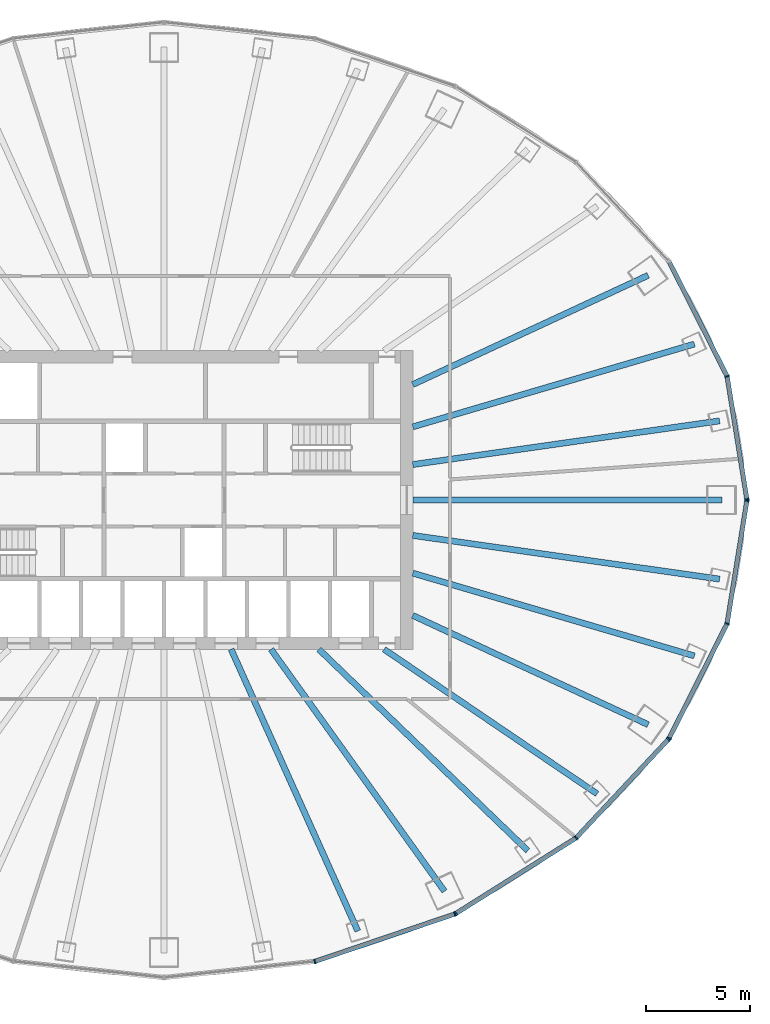
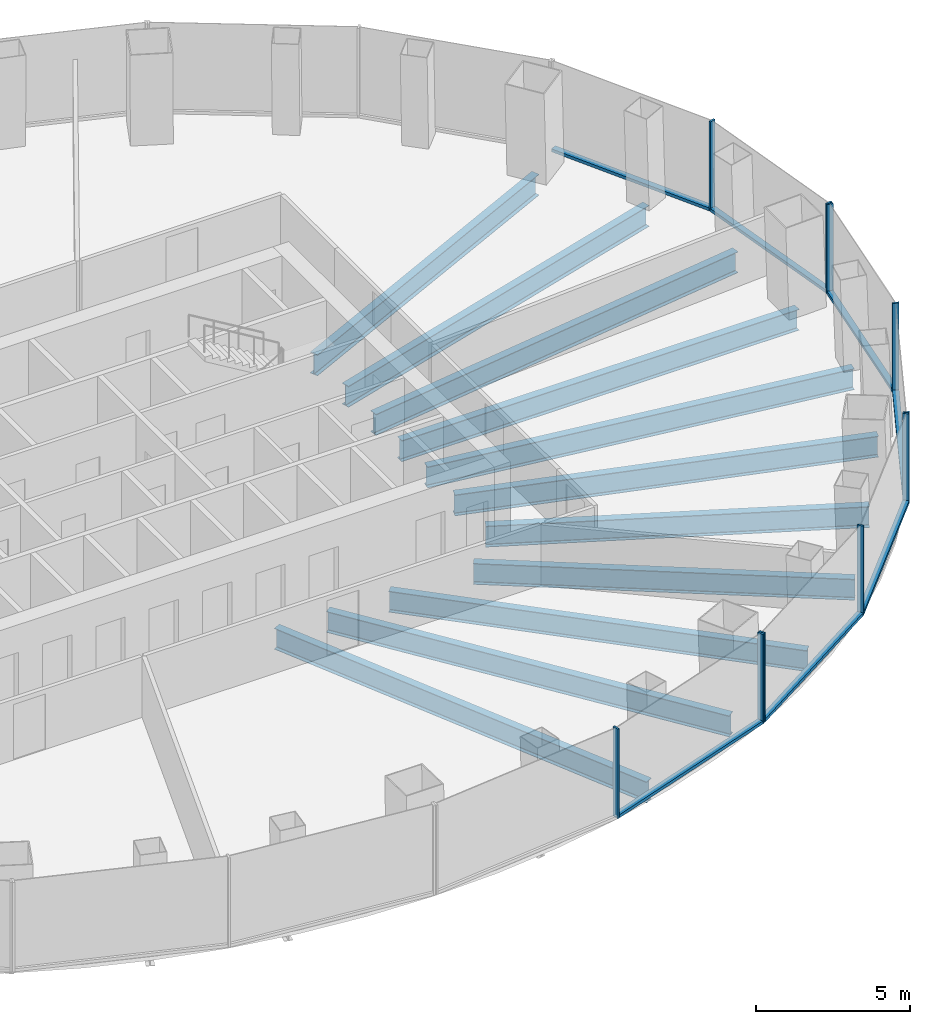
# One storey, part 4 of 11: 17 members, 11 beams, 4 elements without a shape of their own.
"""IFC4 building model written with IfcOpenShell, lengths in metres."""

from ifc_helpers import new_model, si_unit, direction, frame, origin, origin_2d, place, context, subcontext, project, spatial, rectangle, i_section, extrude, material, layer, layer_set, material_profile, profile_set, type_object, element, aggregate, save


model = new_model("IFC4")

# Units and contexts
model_context = context("Model", 3, precision=1e-05, world=origin(), true_north=direction((0.0, 1.0)))
body_context = subcontext(model_context, "Body", "Model", "MODEL_VIEW")
ifc_project = project(units=[si_unit("LENGTHUNIT", "METRE"), si_unit("AREAUNIT", "SQUARE_METRE"), si_unit("VOLUMEUNIT", "CUBIC_METRE"), si_unit("PLANEANGLEUNIT", "RADIAN"), si_unit("MASSUNIT", "GRAM", prefix="KILO")], contexts=[model_context])

# Site, building, storey
site_placement = place(None, origin())
site = spatial("IfcSite", under=ifc_project, at=site_placement, CompositionType="ELEMENT")
building_placement = place(site_placement, origin())
building = spatial("IfcBuilding", under=site, at=building_placement, Name="Siaravel Broadcast Tower", CompositionType="ELEMENT")
storey_placement = place(building_placement, frame((0.0, 0.0, 44.5)))
storey = spatial("IfcBuildingStorey", under=building, at=storey_placement, Name="L09", CompositionType="ELEMENT", Elevation=44.5)

# Beams
ifc_material_1 = material(Name="Steel S355", Category="steel")
ifc_material_profile_1 = material_profile(ifc_material_1, i_section(OverallWidth=0.291748046875, OverallDepth=0.8349609375, WebThickness=0.013916015625, FlangeThickness=0.018798828125, FilletRadius=0.017822265625, at=origin_2d()))
ifc_profile_set_1 = profile_set([ifc_material_profile_1], Name="Steel S355")
beam_type = type_object("IfcBeamType", Name="BM-UB 838x292x176", PredefinedType="BEAM", material=ifc_profile_set_1)
beam_1_placement = place(storey_placement, frame((26.902099609375, 0.0, -0.5673828125), z_axis=(-1.0, 0.0, 0.0), x_axis=(0.0, -1.0, 0.0)))
element("IfcBeam", 1, at=beam_1_placement, inside=storey, type_object=beam_type, Name="Radial beam RB01", PredefinedType="BEAM", context=body_context, shape_type="SweptSolid", body=[
    extrude(i_section(OverallWidth=0.291748046875, OverallDepth=0.8349609375, WebThickness=0.013916015625, FlangeThickness=0.018798828125, FilletRadius=0.017822265625, at=origin_2d()), origin(), (0.0, 0.0, 1.0), 14.902099609375),
])
beam_2_placement = place(storey_placement, frame((26.794677734375, 3.814697265625, -0.5673828125), z_axis=(-0.990017993, -0.140941026, 0.0), x_axis=(0.140941026, -0.990017993, 0.0)))
element("IfcBeam", 2, at=beam_2_placement, inside=storey, type_object=beam_type, Name="Radial beam RB02", PredefinedType="BEAM", context=body_context, shape_type="SweptSolid", body=[
    extrude(i_section(OverallWidth=0.291748046875, OverallDepth=0.8349609375, WebThickness=0.013916015625, FlangeThickness=0.018798828125, FilletRadius=0.017822265625, at=origin_2d()), origin(), (0.0, 0.0, 1.0), 14.94384765625),
])
beam_3_placement = place(storey_placement, frame((25.582275390625, 7.52001953125, -0.5673828125), z_axis=(-0.959405859, -0.282029073, 0.0), x_axis=(0.282029073, -0.959405859, 0.0)))
element("IfcBeam", 3, at=beam_3_placement, inside=storey, type_object=beam_type, Name="Radial beam RB03", PredefinedType="BEAM", context=body_context, shape_type="SweptSolid", body=[
    extrude(i_section(OverallWidth=0.291748046875, OverallDepth=0.8349609375, WebThickness=0.013916015625, FlangeThickness=0.018798828125, FilletRadius=0.017822265625, at=origin_2d()), origin(), (0.0, 0.0, 1.0), 14.156982421875),
])
beam_4_placement = place(storey_placement, frame((23.351318359375, 10.834716796875, -0.5673828125), z_axis=(-0.907113, -0.420887165, 0.0), x_axis=(0.420887165, -0.907113, 0.0)))
element("IfcBeam", 4, at=beam_4_placement, inside=storey, type_object=beam_type, Name="Radial beam RB04", PredefinedType="BEAM", context=body_context, shape_type="SweptSolid", body=[
    extrude(i_section(OverallWidth=0.291748046875, OverallDepth=0.8349609375, WebThickness=0.013916015625, FlangeThickness=0.018798828125, FilletRadius=0.017822265625, at=origin_2d()), origin(), (0.0, 0.0, 1.0), 12.513671875),
])
beam_5_placement = place(storey_placement, frame((9.3486328125, -20.787109375, -0.5673828125), z_axis=(-0.410162294, 0.912012551, 0.0), x_axis=(-0.912012551, -0.410162294, 0.0)))
element("IfcBeam", 5, at=beam_5_placement, inside=storey, type_object=beam_type, Name="Radial beam RB30", PredefinedType="BEAM", context=body_context, shape_type="SweptSolid", body=[
    extrude(i_section(OverallWidth=0.291748046875, OverallDepth=0.8349609375, WebThickness=0.013916015625, FlangeThickness=0.018798828125, FilletRadius=0.017822265625, at=origin_2d()), origin(), (0.0, 0.0, 1.0), 14.89794921875),
])
beam_6_placement = place(storey_placement, frame((13.53076171875, -18.869384765625, -0.5673828125), z_axis=(-0.582740953, 0.812657974, 0.0), x_axis=(-0.812657974, -0.582740953, 0.0)))
element("IfcBeam", 6, at=beam_6_placement, inside=storey, type_object=beam_type, Name="Radial beam RB31", PredefinedType="BEAM", context=body_context, shape_type="SweptSolid", body=[
    extrude(i_section(OverallWidth=0.291748046875, OverallDepth=0.8349609375, WebThickness=0.013916015625, FlangeThickness=0.018798828125, FilletRadius=0.017822265625, at=origin_2d()), origin(), (0.0, 0.0, 1.0), 14.359619140625),
])
beam_7_placement = place(storey_placement, frame((17.54638671875, -16.911376953125, -0.5673828125), z_axis=(-0.720018614, 0.69395475, 0.0), x_axis=(-0.69395475, -0.720018614, 0.0)))
element("IfcBeam", 7, at=beam_7_placement, inside=storey, type_object=beam_type, Name="Radial beam RB32", PredefinedType="BEAM", context=body_context, shape_type="SweptSolid", body=[
    extrude(i_section(OverallWidth=0.291748046875, OverallDepth=0.8349609375, WebThickness=0.013916015625, FlangeThickness=0.018798828125, FilletRadius=0.017822265625, at=origin_2d()), origin(), (0.0, 0.0, 1.0), 13.994384765625),
])
beam_8_placement = place(storey_placement, frame((20.89208984375, -14.171142578125, -0.5673828125), z_axis=(-0.827577543, 0.561351415, 0.0), x_axis=(-0.561351415, -0.827577543, 0.0)))
element("IfcBeam", 8, at=beam_8_placement, inside=storey, type_object=beam_type, Name="Radial beam RB33", PredefinedType="BEAM", context=body_context, shape_type="SweptSolid", body=[
    extrude(i_section(OverallWidth=0.291748046875, OverallDepth=0.8349609375, WebThickness=0.013916015625, FlangeThickness=0.018798828125, FilletRadius=0.017822265625, at=origin_2d()), origin(), (0.0, 0.0, 1.0), 12.418701171875),
])
beam_9_placement = place(storey_placement, frame((23.351318359375, -10.834716796875, -0.5673828125), z_axis=(-0.907113, 0.420887165, 0.0), x_axis=(-0.420887165, -0.907113, 0.0)))
element("IfcBeam", 9, at=beam_9_placement, inside=storey, type_object=beam_type, Name="Radial beam RB34", PredefinedType="BEAM", context=body_context, shape_type="SweptSolid", body=[
    extrude(i_section(OverallWidth=0.291748046875, OverallDepth=0.8349609375, WebThickness=0.013916015625, FlangeThickness=0.018798828125, FilletRadius=0.017822265625, at=origin_2d()), origin(), (0.0, 0.0, 1.0), 12.513671875),
])
beam_10_placement = place(storey_placement, frame((25.582275390625, -7.52001953125, -0.5673828125), z_axis=(-0.959405859, 0.282029073, 0.0), x_axis=(-0.282029073, -0.959405859, 0.0)))
element("IfcBeam", 10, at=beam_10_placement, inside=storey, type_object=beam_type, Name="Radial beam RB35", PredefinedType="BEAM", context=body_context, shape_type="SweptSolid", body=[
    extrude(i_section(OverallWidth=0.291748046875, OverallDepth=0.8349609375, WebThickness=0.013916015625, FlangeThickness=0.018798828125, FilletRadius=0.017822265625, at=origin_2d()), origin(), (0.0, 0.0, 1.0), 14.156982421875),
])
beam_11_placement = place(storey_placement, frame((26.794677734375, -3.814697265625, -0.5673828125), z_axis=(-0.990017993, 0.140941026, 0.0), x_axis=(-0.140941026, -0.990017993, 0.0)))
element("IfcBeam", 11, at=beam_11_placement, inside=storey, type_object=beam_type, Name="Radial beam RB36", PredefinedType="BEAM", context=body_context, shape_type="SweptSolid", body=[
    extrude(i_section(OverallWidth=0.291748046875, OverallDepth=0.8349609375, WebThickness=0.013916015625, FlangeThickness=0.018798828125, FilletRadius=0.017822265625, at=origin_2d()), origin(), (0.0, 0.0, 1.0), 14.94384765625),
])

# Curtain wall, members
ifc_material_2 = material(Name="Aluminium 6063-T6", Category="aluminium")
ifc_layer = layer(ifc_material_2, 0.219970703125)
ifc_layer_set = layer_set([ifc_layer], Name="Aluminium 6063-T6")
curtain_wall_type = type_object("IfcCurtainWallType", Name="Unitised curtain wall, zone 1", PredefinedType="NOTDEFINED", material=ifc_layer_set)
curtain_wall_1_placement = place(storey_placement, origin())
curtain_wall_1 = element("IfcCurtainWall", 12, at=curtain_wall_1_placement, inside=storey, type_object=curtain_wall_type, Name="L09 Unitised curtain wall, zone 1 01", PredefinedType="NOTDEFINED")
ifc_material_profile_2 = material_profile(ifc_material_2, rectangle(XDim=0.219970703125, YDim=0.070068359375, at=origin_2d()))
ifc_profile_set_2 = profile_set([ifc_material_profile_2], Name="Aluminium 6063-T6")
member_type_1 = type_object("IfcMemberType", Name="CW-Z1 mullion", PredefinedType="MULLION", material=ifc_profile_set_2)
member_1_placement = place(storey_placement, frame((28.110595703125, 0.03466796875, 0.0), z_axis=(0.0, 0.0, 1.0), x_axis=(-0.987329133, -0.158685802, 0.0)))
member_1 = element("IfcMember", 13, at=member_1_placement, type_object=member_type_1, Name="CW-Z1 mullion 1", PredefinedType="MULLION", context=body_context, shape_type="SweptSolid", body=[
    extrude(rectangle(XDim=0.219970703125, YDim=0.070068359375, at=origin_2d()), origin(), (0.0, 0.0, 1.0), 3.550048828125),
])
member_2_placement = place(storey_placement, frame((27.1572265625, 5.965576171875, 0.0), z_axis=(0.0, 0.0, 1.0), x_axis=(-0.951177076, -0.308645704, 0.0)))
member_2 = element("IfcMember", 14, at=member_2_placement, type_object=member_type_1, Name="CW-Z1 mullion 2", PredefinedType="MULLION", context=body_context, shape_type="SweptSolid", body=[
    extrude(rectangle(XDim=0.219970703125, YDim=0.070068359375, at=origin_2d()), origin(), (0.0, 0.0, 1.0), 3.550048828125),
])

curtain_wall_2_placement = place(storey_placement, origin())
curtain_wall_2 = element("IfcCurtainWall", 15, at=curtain_wall_2_placement, inside=storey, type_object=curtain_wall_type, Name="L09 Unitised curtain wall, zone 1 10", PredefinedType="NOTDEFINED")
member_3_placement = place(storey_placement, frame((7.27490234375, -22.2548828125, 0.0), z_axis=(0.0, 0.0, 1.0), x_axis=(-0.215558083, 0.97649102, 0.0)))
member_3 = element("IfcMember", 16, at=member_3_placement, type_object=member_type_1, Name="CW-Z1 mullion 2", PredefinedType="MULLION", context=body_context, shape_type="SweptSolid", body=[
    extrude(rectangle(XDim=0.219970703125, YDim=0.070068359375, at=origin_2d()), origin(), (0.0, 0.0, 1.0), 3.550048828125),
])
member_4_placement = place(storey_placement, frame((14.021240234375, -19.9658203125, 0.0), z_axis=(0.0, 0.0, 1.0), x_axis=(-0.321300632, 0.946977246, 0.0)))
member_4 = element("IfcMember", 17, at=member_4_placement, type_object=member_type_1, Name="CW-Z1 mullion 3", PredefinedType="MULLION", context=body_context, shape_type="SweptSolid", body=[
    extrude(rectangle(XDim=0.219970703125, YDim=0.070068359375, at=origin_2d()), origin(), (0.0, 0.0, 1.0), 3.550048828125),
])

curtain_wall_3_placement = place(storey_placement, origin())
curtain_wall_3 = element("IfcCurtainWall", 18, at=curtain_wall_3_placement, inside=storey, type_object=curtain_wall_type, Name="L09 Unitised curtain wall, zone 1 11", PredefinedType="NOTDEFINED")
member_5_placement = place(storey_placement, frame((14.083984375, -19.935791015625, 0.0), z_axis=(0.0, 0.0, 1.0), x_axis=(-0.532149101, 0.846650657, 0.0)))
member_5 = element("IfcMember", 19, at=member_5_placement, type_object=member_type_1, Name="CW-Z1 mullion 1", PredefinedType="MULLION", context=body_context, shape_type="SweptSolid", body=[
    extrude(rectangle(XDim=0.219970703125, YDim=0.070068359375, at=origin_2d()), origin(), (0.0, 0.0, 1.0), 3.550048828125),
])
member_6_placement = place(storey_placement, frame((19.87744140625, -16.294677734375, 0.0), z_axis=(0.0, 0.0, 1.0), x_axis=(-0.63621841, 0.771508998, 0.0)))
member_6 = element("IfcMember", 20, at=member_6_placement, type_object=member_type_1, Name="CW-Z1 mullion 2", PredefinedType="MULLION", context=body_context, shape_type="SweptSolid", body=[
    extrude(rectangle(XDim=0.219970703125, YDim=0.070068359375, at=origin_2d()), origin(), (0.0, 0.0, 1.0), 3.550048828125),
])
member_7_placement = place(storey_placement, frame((24.322998046875, -11.549072265625, 0.0), z_axis=(0.0, 0.0, 1.0), x_axis=(-0.729804946, 0.683655426, 0.0)))
member_7 = element("IfcMember", 21, at=member_7_placement, type_object=member_type_1, Name="CW-Z1 mullion 3", PredefinedType="MULLION", context=body_context, shape_type="SweptSolid", body=[
    extrude(rectangle(XDim=0.219970703125, YDim=0.070068359375, at=origin_2d()), origin(), (0.0, 0.0, 1.0), 3.550048828125),
])

curtain_wall_4_placement = place(storey_placement, origin())
curtain_wall_4 = element("IfcCurtainWall", 22, at=curtain_wall_4_placement, inside=storey, type_object=curtain_wall_type, Name="L09 Unitised curtain wall, zone 1 12", PredefinedType="NOTDEFINED")
member_8_placement = place(storey_placement, frame((24.362548828125, -11.4921875, 0.0), z_axis=(0.0, 0.0, 1.0), x_axis=(-0.892391814, 0.451261399, 0.0)))
member_8 = element("IfcMember", 23, at=member_8_placement, type_object=member_type_1, Name="CW-Z1 mullion 1", PredefinedType="MULLION", context=body_context, shape_type="SweptSolid", body=[
    extrude(rectangle(XDim=0.219970703125, YDim=0.070068359375, at=origin_2d()), origin(), (0.0, 0.0, 1.0), 3.550048828125),
])
member_9_placement = place(storey_placement, frame((27.1572265625, -5.965576171875, 0.0), z_axis=(0.0, 0.0, 1.0), x_axis=(-0.951177076, 0.308645704, 0.0)))
member_9 = element("IfcMember", 24, at=member_9_placement, type_object=member_type_1, Name="CW-Z1 mullion 2", PredefinedType="MULLION", context=body_context, shape_type="SweptSolid", body=[
    extrude(rectangle(XDim=0.219970703125, YDim=0.070068359375, at=origin_2d()), origin(), (0.0, 0.0, 1.0), 3.550048828125),
])
member_10_placement = place(storey_placement, frame((28.110595703125, -0.03466796875, 0.0), z_axis=(0.0, 0.0, 1.0), x_axis=(-0.987329133, 0.158685802, 0.0)))
member_10 = element("IfcMember", 25, at=member_10_placement, type_object=member_type_1, Name="CW-Z1 mullion 3", PredefinedType="MULLION", context=body_context, shape_type="SweptSolid", body=[
    extrude(rectangle(XDim=0.219970703125, YDim=0.070068359375, at=origin_2d()), origin(), (0.0, 0.0, 1.0), 3.550048828125),
])

# Member
ifc_material_profile_3 = material_profile(ifc_material_2, rectangle(XDim=0.219970703125, YDim=0.1201171875, at=origin_2d()))
ifc_profile_set_3 = profile_set([ifc_material_profile_3], Name="Aluminium 6063-T6")
member_type_2 = type_object("IfcMemberType", Name="CW-Z1 transom", PredefinedType="USERDEFINED", material=ifc_profile_set_3)
member_11_placement = place(storey_placement, frame((28.10498046875, 0.069091796875, 0.06005859375), z_axis=(-0.158681674, 0.987329796, 0.0), x_axis=(-0.987329796, -0.158681674, 0.0)))
member_11 = element("IfcMember", 26, at=member_11_placement, type_object=member_type_2, Name="CW-Z1 transom 1", ObjectType="TRANSOM", PredefinedType="USERDEFINED", context=body_context, shape_type="SweptSolid", body=[
    extrude(rectangle(XDim=0.219970703125, YDim=0.1201171875, at=origin_2d()), origin(), (0.0, 0.0, 1.0), 5.937255859375),
])

member_12_placement = place(storey_placement, frame((27.1416015625, 5.996826171875, 0.06005859375), z_axis=(-0.451275958, 0.892384452, 0.0), x_axis=(-0.892384452, -0.451275958, 0.0)))
member_12 = element("IfcMember", 27, at=member_12_placement, type_object=member_type_2, Name="CW-Z1 transom 2", ObjectType="TRANSOM", PredefinedType="USERDEFINED", context=body_context, shape_type="SweptSolid", body=[
    extrude(rectangle(XDim=0.219970703125, YDim=0.1201171875, at=origin_2d()), origin(), (0.0, 0.0, 1.0), 6.123046875),
])

aggregate(curtain_wall_1, [member_1, member_2, member_11, member_12])

member_13_placement = place(storey_placement, frame((7.307861328125, -22.24365234375, 0.06005859375), z_axis=(0.946973811, 0.321310754, 0.0), x_axis=(-0.321310754, 0.946973811, 0.0)))
member_13 = element("IfcMember", 28, at=member_13_placement, type_object=member_type_2, Name="CW-Z1 transom 2", ObjectType="TRANSOM", PredefinedType="USERDEFINED", context=body_context, shape_type="SweptSolid", body=[
    extrude(rectangle(XDim=0.219970703125, YDim=0.1201171875, at=origin_2d()), origin(), (0.0, 0.0, 1.0), 7.05419921875),
])

aggregate(curtain_wall_2, [member_3, member_4, member_13])

member_14_placement = place(storey_placement, frame((14.11376953125, -19.917236328125, 0.06005859375), z_axis=(0.846656967, 0.532139062, 0.0), x_axis=(-0.532139062, 0.846656967, 0.0)))
member_14 = element("IfcMember", 29, at=member_14_placement, type_object=member_type_2, Name="CW-Z1 transom 1", ObjectType="TRANSOM", PredefinedType="USERDEFINED", context=body_context, shape_type="SweptSolid", body=[
    extrude(rectangle(XDim=0.219970703125, YDim=0.1201171875, at=origin_2d()), origin(), (0.0, 0.0, 1.0), 6.772705078125),
])

member_15_placement = place(storey_placement, frame((19.9013671875, -16.26904296875, 0.06005859375), z_axis=(0.683654492, 0.72980582, 0.0), x_axis=(-0.72980582, 0.683654492, 0.0)))
member_15 = element("IfcMember", 30, at=member_15_placement, type_object=member_type_2, Name="CW-Z1 transom 2", ObjectType="TRANSOM", PredefinedType="USERDEFINED", context=body_context, shape_type="SweptSolid", body=[
    extrude(rectangle(XDim=0.219970703125, YDim=0.1201171875, at=origin_2d()), origin(), (0.0, 0.0, 1.0), 6.4326171875),
])

aggregate(curtain_wall_3, [member_5, member_6, member_7, member_14, member_15])

member_16_placement = place(storey_placement, frame((24.37841796875, -11.4609375, 0.06005859375), z_axis=(0.451275958, 0.892384452, 0.0), x_axis=(-0.892384452, 0.451275958, 0.0)))
member_16 = element("IfcMember", 31, at=member_16_placement, type_object=member_type_2, Name="CW-Z1 transom 1", ObjectType="TRANSOM", PredefinedType="USERDEFINED", context=body_context, shape_type="SweptSolid", body=[
    extrude(rectangle(XDim=0.219970703125, YDim=0.1201171875, at=origin_2d()), origin(), (0.0, 0.0, 1.0), 6.123046875),
])

member_17_placement = place(storey_placement, frame((27.162841796875, -5.93115234375, 0.06005859375), z_axis=(0.158681674, 0.987329796, 0.0), x_axis=(-0.987329796, 0.158681674, 0.0)))
member_17 = element("IfcMember", 32, at=member_17_placement, type_object=member_type_2, Name="CW-Z1 transom 2", ObjectType="TRANSOM", PredefinedType="USERDEFINED", context=body_context, shape_type="SweptSolid", body=[
    extrude(rectangle(XDim=0.219970703125, YDim=0.1201171875, at=origin_2d()), origin(), (0.0, 0.0, 1.0), 5.937255859375),
])

aggregate(curtain_wall_4, [member_8, member_9, member_10, member_16, member_17])

save(model, "model.ifc")
